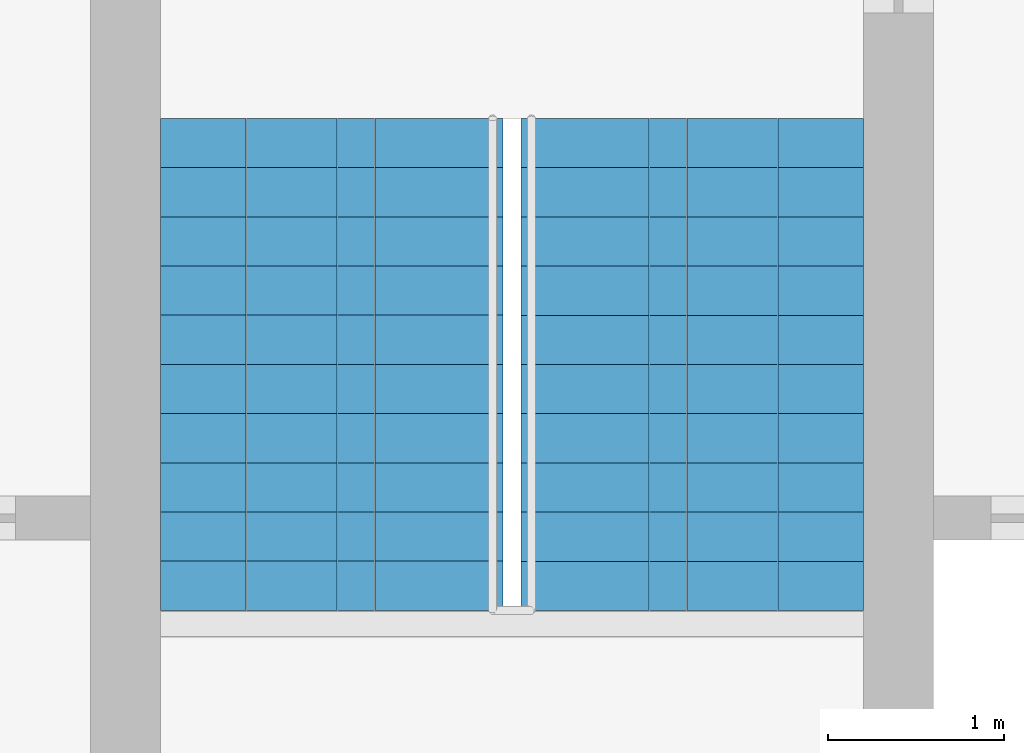
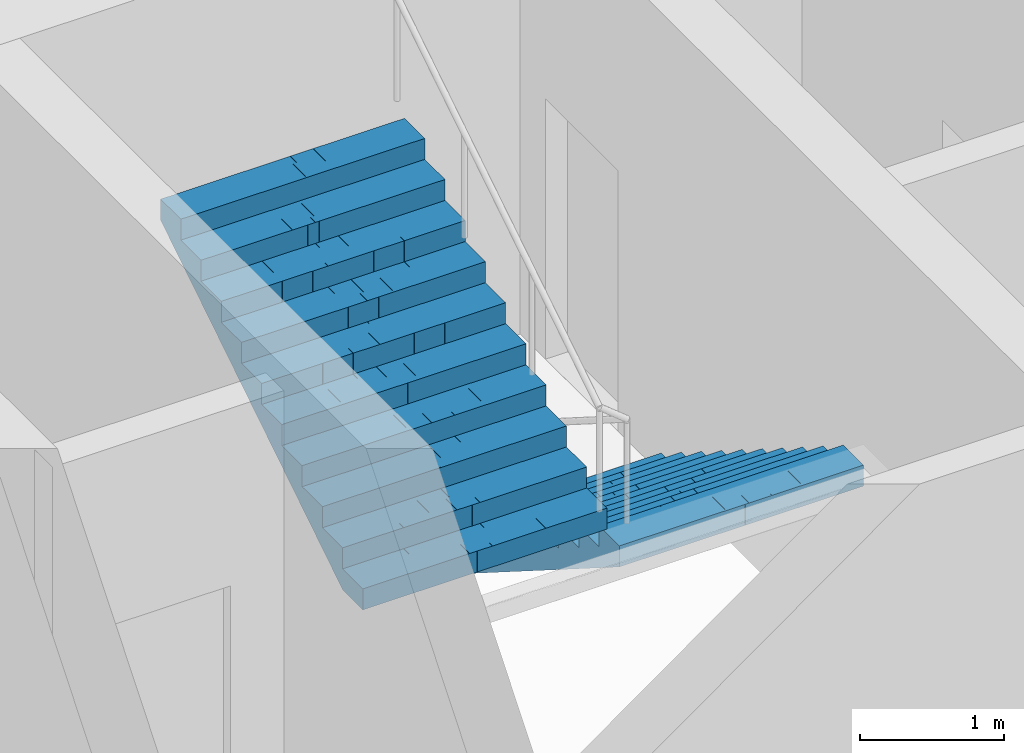
# One storey, part 21 of 22: 2 stair flights, 1 element without a shape of its own.
"""IFC4 building model written with IfcOpenShell, lengths in metres."""

from ifc_helpers import new_model, si_unit, direction, frame, origin, place, context, subcontext, project, spatial, polyline, outline, extrude, material, type_object, element, aggregate, save


model = new_model("IFC4")

# Units and contexts
model_context = context("Model", 3, precision=1e-05, world=origin(), true_north=direction((0.0, 1.0)))
body_context = subcontext(model_context, "Body", "Model", "MODEL_VIEW")
ifc_project = project(units=[si_unit("LENGTHUNIT", "METRE"), si_unit("AREAUNIT", "SQUARE_METRE"), si_unit("VOLUMEUNIT", "CUBIC_METRE"), si_unit("PLANEANGLEUNIT", "RADIAN"), si_unit("MASSUNIT", "GRAM", prefix="KILO")], contexts=[model_context])

# Site, building, storey
site_placement = place(None, origin())
site = spatial("IfcSite", under=ifc_project, at=site_placement, CompositionType="ELEMENT")
building_placement = place(site_placement, origin())
building = spatial("IfcBuilding", under=site, at=building_placement, Name="Mizan Broadcast Tower", CompositionType="ELEMENT")
storey_placement = place(building_placement, frame((0.0, 0.0, 55.199951171875)))
storey = spatial("IfcBuildingStorey", under=building, at=storey_placement, Name="L10", CompositionType="ELEMENT", Elevation=55.199951171875)

# Stair, stair flights
ifc_material_1 = material(Name="Concrete C40/50", Category="concrete")
stair_type = type_object("IfcStairType", Name="EXIT STAIR", PredefinedType="HALF_TURN_STAIR", material=ifc_material_1)
stair_placement = place(storey_placement, origin())
stair = element("IfcStair", 1, at=stair_placement, inside=storey, type_object=stair_type, Name="Stair B L10", PredefinedType="HALF_TURN_STAIR")
ifc_material_2 = material(Name="Concrete C40/50", Category="concrete")
stair_flight_type = type_object("IfcStairFlightType", Name="EXIT STAIR FLIGHT", PredefinedType="STRAIGHT", material=ifc_material_2)
stair_flight_1_placement = place(storey_placement, frame((1.02490234375, 7.89990234375, 0.0), z_axis=(0.0, 0.0, 1.0), x_axis=(0.0, -1.0, 0.0)))
stair_flight_1 = element("IfcStairFlight", 2, at=stair_flight_1_placement, type_object=stair_flight_type, Name="B flight 1", NumberOfRisers=11, NumberOfTreads=10, PredefinedType="STRAIGHT", RiserHeight=0.177272727, TreadLength=0.28, context=body_context, shape_type="SweptSolid", body=[
    extrude(outline(polyline([(0.0, 0.0), (0.0, 0.17724609375), (0.280029296875, 0.17724609375), (0.280029296875, 0.3544921875), (0.56005859375, 0.3544921875), (0.56005859375, 0.53173828125), (0.840087890625, 0.53173828125), (0.840087890625, 0.708984375), (1.1201171875, 0.708984375), (1.1201171875, 0.886474609375), (1.39990234375, 0.886474609375), (1.39990234375, 1.063720703125), (1.679931640625, 1.063720703125), (1.679931640625, 1.240966796875), (1.9599609375, 1.240966796875), (1.9599609375, 1.418212890625), (2.239990234375, 1.418212890625), (2.239990234375, 1.595458984375), (2.52001953125, 1.595458984375), (2.52001953125, 1.772705078125), (2.800048828125, 1.772705078125), (2.800048828125, 1.949951171875), (2.800048828125, 1.59521484375), (0.2802734375, 0.0), (0.0, 0.0)])), frame((0.0, 0.97509765625, 0.0), z_axis=(0.0, -1.0, 0.0), x_axis=(1.0, 0.0, 0.0)), (0.0, 0.0, 1.0), 0.4873046875),
    extrude(outline(polyline([(0.0, 0.0), (0.0, 0.17724609375), (0.280029296875, 0.17724609375), (0.280029296875, 0.3544921875), (0.56005859375, 0.3544921875), (0.56005859375, 0.53173828125), (0.840087890625, 0.53173828125), (0.840087890625, 0.708984375), (1.1201171875, 0.708984375), (1.1201171875, 0.886474609375), (1.39990234375, 0.886474609375), (1.39990234375, 1.063720703125), (1.679931640625, 1.063720703125), (1.679931640625, 1.240966796875), (1.9599609375, 1.240966796875), (1.9599609375, 1.418212890625), (2.239990234375, 1.418212890625), (2.239990234375, 1.595458984375), (2.52001953125, 1.595458984375), (2.52001953125, 1.772705078125), (2.800048828125, 1.772705078125), (2.800048828125, 1.949951171875), (2.800048828125, 1.59521484375), (0.2802734375, 0.0), (0.0, 0.0)])), frame((0.0, 0.4873046875, 0.0), z_axis=(0.0, -1.0, 0.0), x_axis=(1.0, 0.0, 0.0)), (0.0, 0.0, 1.0), 0.2431640625),
    extrude(outline(polyline([(0.0, 0.0), (0.0, 0.17724609375), (0.280029296875, 0.17724609375), (0.280029296875, 0.3544921875), (0.56005859375, 0.3544921875), (0.56005859375, 0.53173828125), (0.840087890625, 0.53173828125), (0.840087890625, 0.708984375), (1.1201171875, 0.708984375), (1.1201171875, 0.886474609375), (1.39990234375, 0.886474609375), (1.39990234375, 1.063720703125), (1.679931640625, 1.063720703125), (1.679931640625, 1.240966796875), (1.9599609375, 1.240966796875), (1.9599609375, 1.418212890625), (2.239990234375, 1.418212890625), (2.239990234375, 1.595458984375), (2.52001953125, 1.595458984375), (2.52001953125, 1.772705078125), (2.800048828125, 1.772705078125), (2.800048828125, 1.949951171875), (2.800048828125, 1.59521484375), (0.2802734375, 0.0), (0.0, 0.0)])), frame((0.0, 0.24365234375, 0.0), z_axis=(0.0, -1.0, 0.0), x_axis=(1.0, 0.0, 0.0)), (0.0, 0.0, 1.0), 0.121337890625),
    extrude(outline(polyline([(0.0, 0.0), (0.0, 0.17724609375), (0.280029296875, 0.17724609375), (0.280029296875, 0.3544921875), (0.56005859375, 0.3544921875), (0.56005859375, 0.53173828125), (0.840087890625, 0.53173828125), (0.840087890625, 0.708984375), (1.1201171875, 0.708984375), (1.1201171875, 0.886474609375), (1.39990234375, 0.886474609375), (1.39990234375, 1.063720703125), (1.679931640625, 1.063720703125), (1.679931640625, 1.240966796875), (1.9599609375, 1.240966796875), (1.9599609375, 1.418212890625), (2.239990234375, 1.418212890625), (2.239990234375, 1.595458984375), (2.52001953125, 1.595458984375), (2.52001953125, 1.772705078125), (2.800048828125, 1.772705078125), (2.800048828125, 1.949951171875), (2.800048828125, 1.59521484375), (0.2802734375, 0.0), (0.0, 0.0)])), frame((0.0, 0.121826171875, 0.0), z_axis=(0.0, -1.0, 0.0), x_axis=(1.0, 0.0, 0.0)), (0.0, 0.0, 1.0), 0.060546875),
    extrude(outline(polyline([(0.0, 0.0), (0.0, 0.17724609375), (0.280029296875, 0.17724609375), (0.280029296875, 0.3544921875), (0.56005859375, 0.3544921875), (0.56005859375, 0.53173828125), (0.840087890625, 0.53173828125), (0.840087890625, 0.708984375), (1.1201171875, 0.708984375), (1.1201171875, 0.886474609375), (1.39990234375, 0.886474609375), (1.39990234375, 1.063720703125), (1.679931640625, 1.063720703125), (1.679931640625, 1.240966796875), (1.9599609375, 1.240966796875), (1.9599609375, 1.418212890625), (2.239990234375, 1.418212890625), (2.239990234375, 1.595458984375), (2.52001953125, 1.595458984375), (2.52001953125, 1.772705078125), (2.800048828125, 1.772705078125), (2.800048828125, 1.949951171875), (2.800048828125, 1.59521484375), (0.2802734375, 0.0), (0.0, 0.0)])), frame((0.0, 0.060791015625, 0.0), z_axis=(0.0, -1.0, 0.0), x_axis=(1.0, 0.0, 0.0)), (0.0, 0.0, 1.0), 0.030029296875),
    extrude(outline(polyline([(0.0, 0.0), (0.0, 0.17724609375), (0.280029296875, 0.17724609375), (0.280029296875, 0.3544921875), (0.56005859375, 0.3544921875), (0.56005859375, 0.53173828125), (0.840087890625, 0.53173828125), (0.840087890625, 0.708984375), (1.1201171875, 0.708984375), (1.1201171875, 0.886474609375), (1.39990234375, 0.886474609375), (1.39990234375, 1.063720703125), (1.679931640625, 1.063720703125), (1.679931640625, 1.240966796875), (1.9599609375, 1.240966796875), (1.9599609375, 1.418212890625), (2.239990234375, 1.418212890625), (2.239990234375, 1.595458984375), (2.52001953125, 1.595458984375), (2.52001953125, 1.772705078125), (2.800048828125, 1.772705078125), (2.800048828125, 1.949951171875), (2.800048828125, 1.59521484375), (0.2802734375, 0.0), (0.0, 0.0)])), frame((0.0, 0.0302734375, 0.0), z_axis=(0.0, -1.0, 0.0), x_axis=(1.0, 0.0, 0.0)), (0.0, 0.0, 1.0), 0.060302734375),
    extrude(outline(polyline([(0.0, 0.0), (0.0, 0.17724609375), (0.280029296875, 0.17724609375), (0.280029296875, 0.3544921875), (0.56005859375, 0.3544921875), (0.56005859375, 0.53173828125), (0.840087890625, 0.53173828125), (0.840087890625, 0.708984375), (1.1201171875, 0.708984375), (1.1201171875, 0.886474609375), (1.39990234375, 0.886474609375), (1.39990234375, 1.063720703125), (1.679931640625, 1.063720703125), (1.679931640625, 1.240966796875), (1.9599609375, 1.240966796875), (1.9599609375, 1.418212890625), (2.239990234375, 1.418212890625), (2.239990234375, 1.595458984375), (2.52001953125, 1.595458984375), (2.52001953125, 1.772705078125), (2.800048828125, 1.772705078125), (2.800048828125, 1.949951171875), (2.800048828125, 1.59521484375), (0.2802734375, 0.0), (0.0, 0.0)])), frame((0.0, -0.030517578125, 0.0), z_axis=(0.0, -1.0, 0.0), x_axis=(1.0, 0.0, 0.0)), (0.0, 0.0, 1.0), 0.030029296875),
    extrude(outline(polyline([(0.0, 0.0), (0.0, 0.17724609375), (0.280029296875, 0.17724609375), (0.280029296875, 0.3544921875), (0.56005859375, 0.3544921875), (0.56005859375, 0.53173828125), (0.840087890625, 0.53173828125), (0.840087890625, 0.708984375), (1.1201171875, 0.708984375), (1.1201171875, 0.886474609375), (1.39990234375, 0.886474609375), (1.39990234375, 1.063720703125), (1.679931640625, 1.063720703125), (1.679931640625, 1.240966796875), (1.9599609375, 1.240966796875), (1.9599609375, 1.418212890625), (2.239990234375, 1.418212890625), (2.239990234375, 1.595458984375), (2.52001953125, 1.595458984375), (2.52001953125, 1.772705078125), (2.800048828125, 1.772705078125), (2.800048828125, 1.949951171875), (2.800048828125, 1.59521484375), (0.2802734375, 0.0), (0.0, 0.0)])), frame((0.0, -0.06103515625, 0.0), z_axis=(0.0, -1.0, 0.0), x_axis=(1.0, 0.0, 0.0)), (0.0, 0.0, 1.0), 0.060546875),
    extrude(outline(polyline([(0.0, 0.0), (0.0, 0.17724609375), (0.280029296875, 0.17724609375), (0.280029296875, 0.3544921875), (0.56005859375, 0.3544921875), (0.56005859375, 0.53173828125), (0.840087890625, 0.53173828125), (0.840087890625, 0.708984375), (1.1201171875, 0.708984375), (1.1201171875, 0.886474609375), (1.39990234375, 0.886474609375), (1.39990234375, 1.063720703125), (1.679931640625, 1.063720703125), (1.679931640625, 1.240966796875), (1.9599609375, 1.240966796875), (1.9599609375, 1.418212890625), (2.239990234375, 1.418212890625), (2.239990234375, 1.595458984375), (2.52001953125, 1.595458984375), (2.52001953125, 1.772705078125), (2.800048828125, 1.772705078125), (2.800048828125, 1.949951171875), (2.800048828125, 1.59521484375), (0.2802734375, 0.0), (0.0, 0.0)])), frame((0.0, -0.1220703125, 0.0), z_axis=(0.0, -1.0, 0.0), x_axis=(1.0, 0.0, 0.0)), (0.0, 0.0, 1.0), 0.121337890625),
    extrude(outline(polyline([(0.0, 0.0), (0.0, 0.17724609375), (0.280029296875, 0.17724609375), (0.280029296875, 0.3544921875), (0.56005859375, 0.3544921875), (0.56005859375, 0.53173828125), (0.840087890625, 0.53173828125), (0.840087890625, 0.708984375), (1.1201171875, 0.708984375), (1.1201171875, 0.886474609375), (1.39990234375, 0.886474609375), (1.39990234375, 1.063720703125), (1.679931640625, 1.063720703125), (1.679931640625, 1.240966796875), (1.9599609375, 1.240966796875), (1.9599609375, 1.418212890625), (2.239990234375, 1.418212890625), (2.239990234375, 1.595458984375), (2.52001953125, 1.595458984375), (2.52001953125, 1.772705078125), (2.800048828125, 1.772705078125), (2.800048828125, 1.949951171875), (2.800048828125, 1.59521484375), (0.2802734375, 0.0), (0.0, 0.0)])), frame((0.0, -0.243896484375, 0.0), z_axis=(0.0, -1.0, 0.0), x_axis=(1.0, 0.0, 0.0)), (0.0, 0.0, 1.0), 0.2431640625),
    extrude(outline(polyline([(0.0, 0.0), (0.0, 0.17724609375), (0.280029296875, 0.17724609375), (0.280029296875, 0.3544921875), (0.56005859375, 0.3544921875), (0.56005859375, 0.53173828125), (0.840087890625, 0.53173828125), (0.840087890625, 0.708984375), (1.1201171875, 0.708984375), (1.1201171875, 0.886474609375), (1.39990234375, 0.886474609375), (1.39990234375, 1.063720703125), (1.679931640625, 1.063720703125), (1.679931640625, 1.240966796875), (1.9599609375, 1.240966796875), (1.9599609375, 1.418212890625), (2.239990234375, 1.418212890625), (2.239990234375, 1.595458984375), (2.52001953125, 1.595458984375), (2.52001953125, 1.772705078125), (2.800048828125, 1.772705078125), (2.800048828125, 1.949951171875), (2.800048828125, 1.59521484375), (0.2802734375, 0.0), (0.0, 0.0)])), frame((0.0, -0.487548828125, 0.0), z_axis=(0.0, -1.0, 0.0), x_axis=(1.0, 0.0, 0.0)), (0.0, 0.0, 1.0), 0.4873046875),
])
stair_flight_2_placement = place(storey_placement, frame((-1.02490234375, 5.10009765625, 1.949951171875), z_axis=(0.0, 0.0, 1.0), x_axis=(0.0, 1.0, 0.0)))
stair_flight_2 = element("IfcStairFlight", 3, at=stair_flight_2_placement, type_object=stair_flight_type, Name="B flight 2", NumberOfRisers=11, NumberOfTreads=10, PredefinedType="STRAIGHT", RiserHeight=0.177272727, TreadLength=0.28, context=body_context, shape_type="SweptSolid", body=[
    extrude(outline(polyline([(0.0, 0.0), (0.0, 0.17724609375), (0.280029296875, 0.17724609375), (0.280029296875, 0.3544921875), (0.56005859375, 0.3544921875), (0.56005859375, 0.53173828125), (0.840087890625, 0.53173828125), (0.840087890625, 0.708984375), (1.1201171875, 0.708984375), (1.1201171875, 0.886474609375), (1.39990234375, 0.886474609375), (1.39990234375, 1.063720703125), (1.679931640625, 1.063720703125), (1.679931640625, 1.240966796875), (1.9599609375, 1.240966796875), (1.9599609375, 1.418212890625), (2.239990234375, 1.418212890625), (2.239990234375, 1.595458984375), (2.52001953125, 1.595458984375), (2.52001953125, 1.772705078125), (2.800048828125, 1.772705078125), (2.800048828125, 1.949951171875), (2.800048828125, 1.59521484375), (0.2802734375, 0.0), (0.0, 0.0)])), frame((0.0, 0.97509765625, 0.0), z_axis=(0.0, -1.0, 0.0), x_axis=(1.0, 0.0, 0.0)), (0.0, 0.0, 1.0), 0.4873046875),
    extrude(outline(polyline([(0.0, 0.0), (0.0, 0.17724609375), (0.280029296875, 0.17724609375), (0.280029296875, 0.3544921875), (0.56005859375, 0.3544921875), (0.56005859375, 0.53173828125), (0.840087890625, 0.53173828125), (0.840087890625, 0.708984375), (1.1201171875, 0.708984375), (1.1201171875, 0.886474609375), (1.39990234375, 0.886474609375), (1.39990234375, 1.063720703125), (1.679931640625, 1.063720703125), (1.679931640625, 1.240966796875), (1.9599609375, 1.240966796875), (1.9599609375, 1.418212890625), (2.239990234375, 1.418212890625), (2.239990234375, 1.595458984375), (2.52001953125, 1.595458984375), (2.52001953125, 1.772705078125), (2.800048828125, 1.772705078125), (2.800048828125, 1.949951171875), (2.800048828125, 1.59521484375), (0.2802734375, 0.0), (0.0, 0.0)])), frame((0.0, 0.4873046875, 0.0), z_axis=(0.0, -1.0, 0.0), x_axis=(1.0, 0.0, 0.0)), (0.0, 0.0, 1.0), 0.2431640625),
    extrude(outline(polyline([(0.0, 0.0), (0.0, 0.17724609375), (0.280029296875, 0.17724609375), (0.280029296875, 0.3544921875), (0.56005859375, 0.3544921875), (0.56005859375, 0.53173828125), (0.840087890625, 0.53173828125), (0.840087890625, 0.708984375), (1.1201171875, 0.708984375), (1.1201171875, 0.886474609375), (1.39990234375, 0.886474609375), (1.39990234375, 1.063720703125), (1.679931640625, 1.063720703125), (1.679931640625, 1.240966796875), (1.9599609375, 1.240966796875), (1.9599609375, 1.418212890625), (2.239990234375, 1.418212890625), (2.239990234375, 1.595458984375), (2.52001953125, 1.595458984375), (2.52001953125, 1.772705078125), (2.800048828125, 1.772705078125), (2.800048828125, 1.949951171875), (2.800048828125, 1.59521484375), (0.2802734375, 0.0), (0.0, 0.0)])), frame((0.0, 0.24365234375, 0.0), z_axis=(0.0, -1.0, 0.0), x_axis=(1.0, 0.0, 0.0)), (0.0, 0.0, 1.0), 0.121337890625),
    extrude(outline(polyline([(0.0, 0.0), (0.0, 0.17724609375), (0.280029296875, 0.17724609375), (0.280029296875, 0.3544921875), (0.56005859375, 0.3544921875), (0.56005859375, 0.53173828125), (0.840087890625, 0.53173828125), (0.840087890625, 0.708984375), (1.1201171875, 0.708984375), (1.1201171875, 0.886474609375), (1.39990234375, 0.886474609375), (1.39990234375, 1.063720703125), (1.679931640625, 1.063720703125), (1.679931640625, 1.240966796875), (1.9599609375, 1.240966796875), (1.9599609375, 1.418212890625), (2.239990234375, 1.418212890625), (2.239990234375, 1.595458984375), (2.52001953125, 1.595458984375), (2.52001953125, 1.772705078125), (2.800048828125, 1.772705078125), (2.800048828125, 1.949951171875), (2.800048828125, 1.59521484375), (0.2802734375, 0.0), (0.0, 0.0)])), frame((0.0, 0.121826171875, 0.0), z_axis=(0.0, -1.0, 0.0), x_axis=(1.0, 0.0, 0.0)), (0.0, 0.0, 1.0), 0.060546875),
    extrude(outline(polyline([(0.0, 0.0), (0.0, 0.17724609375), (0.280029296875, 0.17724609375), (0.280029296875, 0.3544921875), (0.56005859375, 0.3544921875), (0.56005859375, 0.53173828125), (0.840087890625, 0.53173828125), (0.840087890625, 0.708984375), (1.1201171875, 0.708984375), (1.1201171875, 0.886474609375), (1.39990234375, 0.886474609375), (1.39990234375, 1.063720703125), (1.679931640625, 1.063720703125), (1.679931640625, 1.240966796875), (1.9599609375, 1.240966796875), (1.9599609375, 1.418212890625), (2.239990234375, 1.418212890625), (2.239990234375, 1.595458984375), (2.52001953125, 1.595458984375), (2.52001953125, 1.772705078125), (2.800048828125, 1.772705078125), (2.800048828125, 1.949951171875), (2.800048828125, 1.59521484375), (0.2802734375, 0.0), (0.0, 0.0)])), frame((0.0, 0.060791015625, 0.0), z_axis=(0.0, -1.0, 0.0), x_axis=(1.0, 0.0, 0.0)), (0.0, 0.0, 1.0), 0.030029296875),
    extrude(outline(polyline([(0.0, 0.0), (0.0, 0.17724609375), (0.280029296875, 0.17724609375), (0.280029296875, 0.3544921875), (0.56005859375, 0.3544921875), (0.56005859375, 0.53173828125), (0.840087890625, 0.53173828125), (0.840087890625, 0.708984375), (1.1201171875, 0.708984375), (1.1201171875, 0.886474609375), (1.39990234375, 0.886474609375), (1.39990234375, 1.063720703125), (1.679931640625, 1.063720703125), (1.679931640625, 1.240966796875), (1.9599609375, 1.240966796875), (1.9599609375, 1.418212890625), (2.239990234375, 1.418212890625), (2.239990234375, 1.595458984375), (2.52001953125, 1.595458984375), (2.52001953125, 1.772705078125), (2.800048828125, 1.772705078125), (2.800048828125, 1.949951171875), (2.800048828125, 1.59521484375), (0.2802734375, 0.0), (0.0, 0.0)])), frame((0.0, 0.0302734375, 0.0), z_axis=(0.0, -1.0, 0.0), x_axis=(1.0, 0.0, 0.0)), (0.0, 0.0, 1.0), 0.060302734375),
    extrude(outline(polyline([(0.0, 0.0), (0.0, 0.17724609375), (0.280029296875, 0.17724609375), (0.280029296875, 0.3544921875), (0.56005859375, 0.3544921875), (0.56005859375, 0.53173828125), (0.840087890625, 0.53173828125), (0.840087890625, 0.708984375), (1.1201171875, 0.708984375), (1.1201171875, 0.886474609375), (1.39990234375, 0.886474609375), (1.39990234375, 1.063720703125), (1.679931640625, 1.063720703125), (1.679931640625, 1.240966796875), (1.9599609375, 1.240966796875), (1.9599609375, 1.418212890625), (2.239990234375, 1.418212890625), (2.239990234375, 1.595458984375), (2.52001953125, 1.595458984375), (2.52001953125, 1.772705078125), (2.800048828125, 1.772705078125), (2.800048828125, 1.949951171875), (2.800048828125, 1.59521484375), (0.2802734375, 0.0), (0.0, 0.0)])), frame((0.0, -0.030517578125, 0.0), z_axis=(0.0, -1.0, 0.0), x_axis=(1.0, 0.0, 0.0)), (0.0, 0.0, 1.0), 0.030029296875),
    extrude(outline(polyline([(0.0, 0.0), (0.0, 0.17724609375), (0.280029296875, 0.17724609375), (0.280029296875, 0.3544921875), (0.56005859375, 0.3544921875), (0.56005859375, 0.53173828125), (0.840087890625, 0.53173828125), (0.840087890625, 0.708984375), (1.1201171875, 0.708984375), (1.1201171875, 0.886474609375), (1.39990234375, 0.886474609375), (1.39990234375, 1.063720703125), (1.679931640625, 1.063720703125), (1.679931640625, 1.240966796875), (1.9599609375, 1.240966796875), (1.9599609375, 1.418212890625), (2.239990234375, 1.418212890625), (2.239990234375, 1.595458984375), (2.52001953125, 1.595458984375), (2.52001953125, 1.772705078125), (2.800048828125, 1.772705078125), (2.800048828125, 1.949951171875), (2.800048828125, 1.59521484375), (0.2802734375, 0.0), (0.0, 0.0)])), frame((0.0, -0.06103515625, 0.0), z_axis=(0.0, -1.0, 0.0), x_axis=(1.0, 0.0, 0.0)), (0.0, 0.0, 1.0), 0.060546875),
    extrude(outline(polyline([(0.0, 0.0), (0.0, 0.17724609375), (0.280029296875, 0.17724609375), (0.280029296875, 0.3544921875), (0.56005859375, 0.3544921875), (0.56005859375, 0.53173828125), (0.840087890625, 0.53173828125), (0.840087890625, 0.708984375), (1.1201171875, 0.708984375), (1.1201171875, 0.886474609375), (1.39990234375, 0.886474609375), (1.39990234375, 1.063720703125), (1.679931640625, 1.063720703125), (1.679931640625, 1.240966796875), (1.9599609375, 1.240966796875), (1.9599609375, 1.418212890625), (2.239990234375, 1.418212890625), (2.239990234375, 1.595458984375), (2.52001953125, 1.595458984375), (2.52001953125, 1.772705078125), (2.800048828125, 1.772705078125), (2.800048828125, 1.949951171875), (2.800048828125, 1.59521484375), (0.2802734375, 0.0), (0.0, 0.0)])), frame((0.0, -0.1220703125, 0.0), z_axis=(0.0, -1.0, 0.0), x_axis=(1.0, 0.0, 0.0)), (0.0, 0.0, 1.0), 0.121337890625),
    extrude(outline(polyline([(0.0, 0.0), (0.0, 0.17724609375), (0.280029296875, 0.17724609375), (0.280029296875, 0.3544921875), (0.56005859375, 0.3544921875), (0.56005859375, 0.53173828125), (0.840087890625, 0.53173828125), (0.840087890625, 0.708984375), (1.1201171875, 0.708984375), (1.1201171875, 0.886474609375), (1.39990234375, 0.886474609375), (1.39990234375, 1.063720703125), (1.679931640625, 1.063720703125), (1.679931640625, 1.240966796875), (1.9599609375, 1.240966796875), (1.9599609375, 1.418212890625), (2.239990234375, 1.418212890625), (2.239990234375, 1.595458984375), (2.52001953125, 1.595458984375), (2.52001953125, 1.772705078125), (2.800048828125, 1.772705078125), (2.800048828125, 1.949951171875), (2.800048828125, 1.59521484375), (0.2802734375, 0.0), (0.0, 0.0)])), frame((0.0, -0.243896484375, 0.0), z_axis=(0.0, -1.0, 0.0), x_axis=(1.0, 0.0, 0.0)), (0.0, 0.0, 1.0), 0.2431640625),
    extrude(outline(polyline([(0.0, 0.0), (0.0, 0.17724609375), (0.280029296875, 0.17724609375), (0.280029296875, 0.3544921875), (0.56005859375, 0.3544921875), (0.56005859375, 0.53173828125), (0.840087890625, 0.53173828125), (0.840087890625, 0.708984375), (1.1201171875, 0.708984375), (1.1201171875, 0.886474609375), (1.39990234375, 0.886474609375), (1.39990234375, 1.063720703125), (1.679931640625, 1.063720703125), (1.679931640625, 1.240966796875), (1.9599609375, 1.240966796875), (1.9599609375, 1.418212890625), (2.239990234375, 1.418212890625), (2.239990234375, 1.595458984375), (2.52001953125, 1.595458984375), (2.52001953125, 1.772705078125), (2.800048828125, 1.772705078125), (2.800048828125, 1.949951171875), (2.800048828125, 1.59521484375), (0.2802734375, 0.0), (0.0, 0.0)])), frame((0.0, -0.487548828125, 0.0), z_axis=(0.0, -1.0, 0.0), x_axis=(1.0, 0.0, 0.0)), (0.0, 0.0, 1.0), 0.4873046875),
])
aggregate(stair, [stair_flight_1, stair_flight_2])

save(model, "model.ifc")
